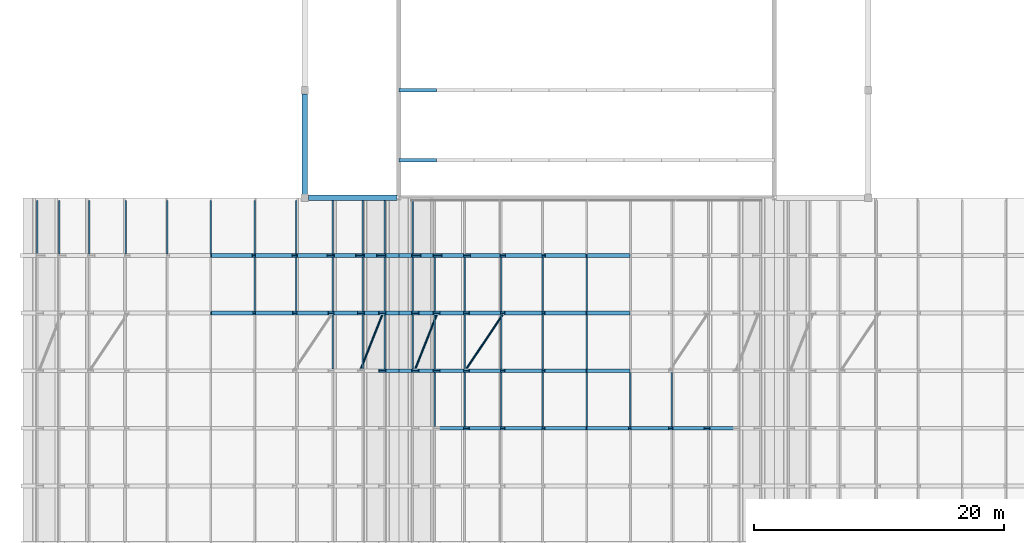
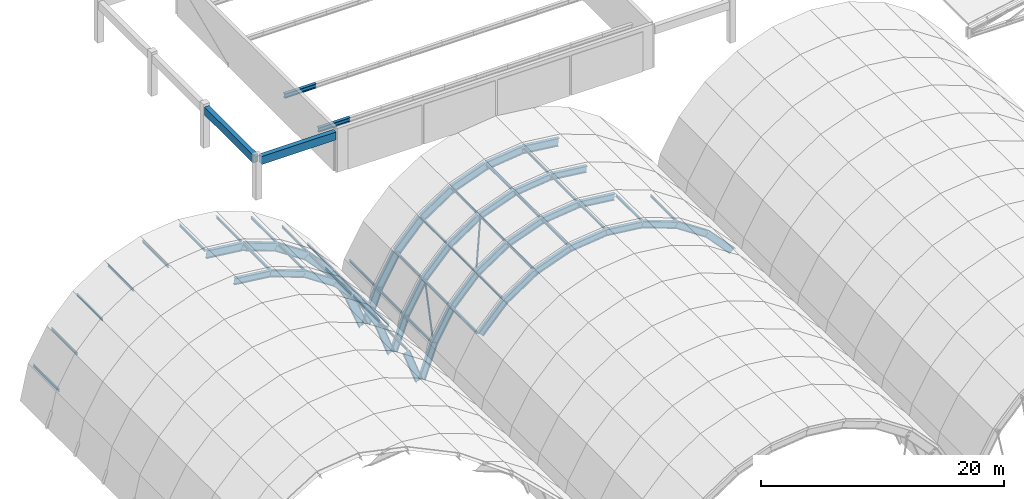
# One storey, part 12 of 47: 83 beams, 5 members.
"""IFC4 building model written with IfcOpenShell, lengths in metres."""

from ifc_helpers import new_model, si_unit, direction, frame, origin, origin_2d, place, context, subcontext, project, spatial, rectangle, hollow_circle, i_section, extrude, material, material_profile, profile_set, type_object, element, save


model = new_model("IFC4")

# Units and contexts
model_context = context("Model", 3, precision=1e-05, world=origin(), true_north=direction((0.0, 1.0)))
body_context = subcontext(model_context, "Body", "Model", "MODEL_VIEW")
ifc_project = project(units=[si_unit("LENGTHUNIT", "METRE"), si_unit("AREAUNIT", "SQUARE_METRE"), si_unit("VOLUMEUNIT", "CUBIC_METRE"), si_unit("PLANEANGLEUNIT", "RADIAN"), si_unit("MASSUNIT", "GRAM", prefix="KILO")], contexts=[model_context])

# Site, building, storey
site_placement = place(None, origin())
site = spatial("IfcSite", under=ifc_project, at=site_placement, CompositionType="ELEMENT")
building_placement = place(site_placement, origin())
building = spatial("IfcBuilding", under=site, at=building_placement, Name="Muzn Square Opera House", CompositionType="ELEMENT")
storey_placement = place(building_placement, frame((0.0, 0.0, 31.0)))
storey = spatial("IfcBuildingStorey", under=building, at=storey_placement, Name="RF-1", CompositionType="ELEMENT", Elevation=31.0)

# Beams
ifc_material_1 = material(Name="Steel S355", Category="steel")
ifc_material_profile_1 = material_profile(ifc_material_1, i_section(OverallWidth=0.300048828125, OverallDepth=0.800048828125, WebThickness=0.017578125, FlangeThickness=0.032958984375, FilletRadius=0.030029296875, at=origin_2d()), Name="HEB 800", Category="steel")
ifc_profile_set_1 = profile_set([ifc_material_profile_1], Name="Steel S355")
beam_type_1 = type_object("IfcBeamType", Name="Gable Arch Rib HEB800", PredefinedType="BEAM", material=ifc_profile_set_1)
beam_1_placement = place(storey_placement, frame((58.0, 68.0, -0.239990234375), z_axis=(0.99313613312, 0.0, -0.116964187216), x_axis=(0.0, 1.0, 0.0)))
element("IfcBeam", 1, at=beam_1_placement, inside=storey, type_object=beam_type_1, Name="Barrel Vault Arch Rib V1-10-S06", PredefinedType="BEAM", context=body_context, shape_type="SweptSolid", body=[
    extrude(i_section(OverallWidth=0.300048828125, OverallDepth=0.800048828125, WebThickness=0.017578125, FlangeThickness=0.032958984375, FilletRadius=0.030029296875, at=origin_2d()), origin(), (0.0, 0.0, 1.0), 3.45654296875),
])
for number, where, z_axis, x_axis, name in (
    (2, (61.432861328125, 68.0, -0.644287109375), (0.938647830501, 0.0, -0.344877152471), (0.0, 1.0, 0.0), "Barrel Vault Arch Rib V1-10-S07"),
    (3, (64.677490234375, 68.0, -1.83642578125), (0.832701668502, 0.0, -0.553721889827), (0.0, 1.0, 0.0), "Barrel Vault Arch Rib V1-10-S08"),
):
    element("IfcBeam", number, at=place(storey_placement, frame(where, z_axis=z_axis, x_axis=x_axis)), inside=storey, type_object=beam_type_1, Name=name, PredefinedType="BEAM", context=body_context, shape_type="SweptSolid", body=[
        extrude(i_section(OverallWidth=0.300048828125, OverallDepth=0.800048828125, WebThickness=0.017578125, FlangeThickness=0.032958984375, FilletRadius=0.030029296875, at=origin_2d()), origin(), (0.0, 0.0, 1.0), 3.456787109375),
    ])
beam_2_placement = place(storey_placement, frame((67.555908203125, 68.0, -3.75048828125), z_axis=(0.681076644636, 0.0, -0.732212130555), x_axis=(0.0, 1.0, 0.0)))
element("IfcBeam", 4, at=beam_2_placement, inside=storey, type_object=beam_type_1, Name="Barrel Vault Arch Rib V1-10-S09", PredefinedType="BEAM", context=body_context, shape_type="SweptSolid", body=[
    extrude(i_section(OverallWidth=0.300048828125, OverallDepth=0.800048828125, WebThickness=0.017578125, FlangeThickness=0.032958984375, FilletRadius=0.030029296875, at=origin_2d()), origin(), (0.0, 0.0, 1.0), 3.45654296875),
])
beam_3_placement = place(storey_placement, frame((69.91015625, 68.0, -6.281494140625), z_axis=(0.492117762624, 0.0, -0.870528636927), x_axis=(0.0, 1.0, 0.0)))
element("IfcBeam", 5, at=beam_3_placement, inside=storey, type_object=beam_type_1, Name="Barrel Vault Arch Rib V1-10-S10", PredefinedType="BEAM", context=body_context, shape_type="SweptSolid", body=[
    extrude(i_section(OverallWidth=0.300048828125, OverallDepth=0.800048828125, WebThickness=0.017578125, FlangeThickness=0.032958984375, FilletRadius=0.030029296875, at=origin_2d()), origin(), (0.0, 0.0, 1.0), 3.456787109375),
])
for number, where, z_axis, x_axis, name in (
    (6, (71.611328125, 68.0, -9.290771484375), (0.362708999619, 0.0, -0.931902452832), (0.0, 1.0, 0.0), "Barrel Vault Arch Rib V1-10-S11"),
    (7, (73.1201171875, 68.0, -12.550048828125), (0.362708999619, 0.0, 0.931902452832), (0.0, 1.0, 0.0), "Barrel Vault Arch Rib V2-10-S00"),
):
    element("IfcBeam", number, at=place(storey_placement, frame(where, z_axis=z_axis, x_axis=x_axis)), inside=storey, type_object=beam_type_1, Name=name, PredefinedType="BEAM", context=body_context, shape_type="SweptSolid", body=[
        extrude(i_section(OverallWidth=0.300048828125, OverallDepth=0.800048828125, WebThickness=0.017578125, FlangeThickness=0.032958984375, FilletRadius=0.030029296875, at=origin_2d()), origin(), (0.0, 0.0, 1.0), 3.49755859375),
    ])
beam_4_placement = place(storey_placement, frame((74.388671875, 68.0, -9.290771484375), z_axis=(0.492117762624, 0.0, 0.870528636927), x_axis=(0.0, 1.0, 0.0)))
element("IfcBeam", 8, at=beam_4_placement, inside=storey, type_object=beam_type_1, Name="Barrel Vault Arch Rib V2-10-S01", PredefinedType="BEAM", context=body_context, shape_type="SweptSolid", body=[
    extrude(i_section(OverallWidth=0.300048828125, OverallDepth=0.800048828125, WebThickness=0.017578125, FlangeThickness=0.032958984375, FilletRadius=0.030029296875, at=origin_2d()), origin(), (0.0, 0.0, 1.0), 3.456787109375),
])
beam_5_placement = place(storey_placement, frame((76.08984375, 68.0, -6.281494140625), z_axis=(0.681076644636, 0.0, 0.732212130555), x_axis=(0.0, 1.0, 0.0)))
element("IfcBeam", 9, at=beam_5_placement, inside=storey, type_object=beam_type_1, Name="Barrel Vault Arch Rib V2-10-S02", PredefinedType="BEAM", context=body_context, shape_type="SweptSolid", body=[
    extrude(i_section(OverallWidth=0.300048828125, OverallDepth=0.800048828125, WebThickness=0.017578125, FlangeThickness=0.032958984375, FilletRadius=0.030029296875, at=origin_2d()), origin(), (0.0, 0.0, 1.0), 3.45654296875),
])
for number, where, z_axis, x_axis, name in (
    (10, (78.444091796875, 68.0, -3.75048828125), (0.832701668502, 0.0, 0.553721889827), (0.0, 1.0, 0.0), "Barrel Vault Arch Rib V2-10-S03"),
    (11, (81.322509765625, 68.0, -1.83642578125), (0.938647830501, 0.0, 0.344877152471), (0.0, 1.0, 0.0), "Barrel Vault Arch Rib V2-10-S04"),
):
    element("IfcBeam", number, at=place(storey_placement, frame(where, z_axis=z_axis, x_axis=x_axis)), inside=storey, type_object=beam_type_1, Name=name, PredefinedType="BEAM", context=body_context, shape_type="SweptSolid", body=[
        extrude(i_section(OverallWidth=0.300048828125, OverallDepth=0.800048828125, WebThickness=0.017578125, FlangeThickness=0.032958984375, FilletRadius=0.030029296875, at=origin_2d()), origin(), (0.0, 0.0, 1.0), 3.456787109375),
    ])
for number, where, z_axis, x_axis, name in (
    (12, (84.567138671875, 68.0, -0.644287109375), (0.99313613312, 0.0, 0.116964187216), (0.0, 1.0, 0.0), "Barrel Vault Arch Rib V2-10-S05"),
    (13, (88.0, 68.0, -0.239990234375), (0.99313613312, 0.0, -0.116964187216), (0.0, 1.0, 0.0), "Barrel Vault Arch Rib V2-10-S06"),
):
    element("IfcBeam", number, at=place(storey_placement, frame(where, z_axis=z_axis, x_axis=x_axis)), inside=storey, type_object=beam_type_1, Name=name, PredefinedType="BEAM", context=body_context, shape_type="SweptSolid", body=[
        extrude(i_section(OverallWidth=0.300048828125, OverallDepth=0.800048828125, WebThickness=0.017578125, FlangeThickness=0.032958984375, FilletRadius=0.030029296875, at=origin_2d()), origin(), (0.0, 0.0, 1.0), 3.45654296875),
    ])
ifc_material_2 = material(Name="Concrete C40/50", Category="concrete")
ifc_material_profile_2 = material_profile(ifc_material_2, rectangle(XDim=0.449951171875, YDim=0.800048828125, at=origin_2d()), Name="RCB 450x800", Category="concrete")
ifc_profile_set_2 = profile_set([ifc_material_profile_2], Name="Concrete C40/50")
beam_type_2 = type_object("IfcBeamType", Name="Primary Girder 450x800", PredefinedType="BEAM", material=ifc_profile_set_2)
beam_6_placement = place(storey_placement, frame((65.7919921875, 72.60009765625, 3.75), z_axis=(1.0, 0.0, 0.0), x_axis=(0.0, 1.0, 0.0)))
element("IfcBeam", 14, at=beam_6_placement, inside=storey, type_object=beam_type_2, Name="Primary Girder BM-RF1-BM-PG800-658_726_729_726-2768", PredefinedType="BEAM", context=body_context, shape_type="SweptSolid", body=[
    extrude(rectangle(XDim=0.449951171875, YDim=0.800048828125, at=origin_2d()), origin(), (0.0, 0.0, 1.0), 7.06591796875),
])
beam_7_placement = place(storey_placement, frame((65.5, 72.89208984375, 3.75), z_axis=(0.0, 1.0, 0.0), x_axis=(-1.0, 0.0, 0.0)))
element("IfcBeam", 15, at=beam_7_placement, inside=storey, type_object=beam_type_2, Name="Primary Girder BM-RF1-BM-PG800-655_729_655_809-2772", PredefinedType="BEAM", context=body_context, shape_type="SweptSolid", body=[
    extrude(rectangle(XDim=0.449951171875, YDim=0.800048828125, at=origin_2d()), origin(), (0.0, 0.0, 1.0), 8.015869140625),
])
ifc_material_profile_3 = material_profile(ifc_material_1, i_section(OverallWidth=0.1201171875, OverallDepth=0.239990234375, WebThickness=0.006103515625, FlangeThickness=0.009765625, FilletRadius=0.014892578125, at=origin_2d()), Name="IPE 240", Category="steel")
ifc_profile_set_3 = profile_set([ifc_material_profile_3], Name="Steel S355")
beam_type_3 = type_object("IfcBeamType", Name="Roof Purlin IPE240", PredefinedType="USERDEFINED", material=ifc_profile_set_3)
for number, where, z_axis, x_axis, name in (
    (16, (67.7373046875, 58.93994140625, -3.537109375), (0.0, 1.0, 0.0), (-1.0, 0.0, 0.0), "Barrel Vault Roof Purlin V1-08-P18"),
    (17, (70.13623046875, 58.93994140625, -6.1162109375), (0.0, 1.0, 0.0), (-1.0, 0.0, 0.0), "Barrel Vault Roof Purlin V1-08-P20"),
    (18, (71.869384765625, 58.93994140625, -9.1826171875), (0.0, 1.0, 0.0), (-1.0, 0.0, 0.0), "Barrel Vault Roof Purlin V1-08-P22"),
    (19, (61.498046875, 63.5400390625, -0.3720703125), (0.0, 1.0, 0.0), (-1.0, 0.0, 0.0), "Barrel Vault Roof Purlin V1-09-P14"),
    (20, (64.80419921875, 63.5400390625, -1.5869140625), (0.0, 1.0, 0.0), (-1.0, 0.0, 0.0), "Barrel Vault Roof Purlin V1-09-P16"),
    (21, (67.7373046875, 63.5400390625, -3.537109375), (0.0, 1.0, 0.0), (-1.0, 0.0, 0.0), "Barrel Vault Roof Purlin V1-09-P18"),
    (22, (70.13623046875, 63.5400390625, -6.1162109375), (0.0, 1.0, 0.0), (-1.0, 0.0, 0.0), "Barrel Vault Roof Purlin V1-09-P20"),
    (23, (71.869384765625, 63.5400390625, -9.1826171875), (0.0, 1.0, 0.0), (-1.0, 0.0, 0.0), "Barrel Vault Roof Purlin V1-09-P22"),
):
    element("IfcBeam", number, at=place(storey_placement, frame(where, z_axis=z_axis, x_axis=x_axis)), inside=storey, type_object=beam_type_3, Name=name, ObjectType="PURLIN", PredefinedType="USERDEFINED", context=body_context, shape_type="SweptSolid", body=[
        extrude(i_section(OverallWidth=0.1201171875, OverallDepth=0.239990234375, WebThickness=0.006103515625, FlangeThickness=0.009765625, FilletRadius=0.014892578125, at=origin_2d()), origin(), (0.0, 0.0, 1.0), 4.320068359375),
    ])
for number, where, z_axis, x_axis, name in (
    (24, (44.130615234375, 68.139892578125, -9.1826171875), (0.0, 1.0, 0.0), (-1.0, 0.0, 0.0), "Barrel Vault Roof Purlin V1-10-P02"),
    (25, (45.86376953125, 68.139892578125, -6.1162109375), (0.0, 1.0, 0.0), (-1.0, 0.0, 0.0), "Barrel Vault Roof Purlin V1-10-P04"),
    (26, (48.2626953125, 68.139892578125, -3.537109375), (0.0, 1.0, 0.0), (-1.0, 0.0, 0.0), "Barrel Vault Roof Purlin V1-10-P06"),
    (27, (51.19580078125, 68.139892578125, -1.5869140625), (0.0, 1.0, 0.0), (-1.0, 0.0, 0.0), "Barrel Vault Roof Purlin V1-10-P08"),
    (28, (54.501953125, 68.139892578125, -0.3720703125), (0.0, 1.0, 0.0), (-1.0, 0.0, 0.0), "Barrel Vault Roof Purlin V1-10-P10"),
    (29, (58.0, 68.139892578125, 0.0400390625), (0.0, 1.0, 0.0), (-1.0, 0.0, 0.0), "Barrel Vault Roof Purlin V1-10-P12"),
    (30, (61.498046875, 68.139892578125, -0.3720703125), (0.0, 1.0, 0.0), (-1.0, 0.0, 0.0), "Barrel Vault Roof Purlin V1-10-P14"),
    (31, (64.80419921875, 68.139892578125, -1.5869140625), (0.0, 1.0, 0.0), (-1.0, 0.0, 0.0), "Barrel Vault Roof Purlin V1-10-P16"),
    (32, (67.7373046875, 68.139892578125, -3.537109375), (0.0, 1.0, 0.0), (-1.0, 0.0, 0.0), "Barrel Vault Roof Purlin V1-10-P18"),
    (33, (70.13623046875, 68.139892578125, -6.1162109375), (0.0, 1.0, 0.0), (-1.0, 0.0, 0.0), "Barrel Vault Roof Purlin V1-10-P20"),
    (34, (71.869384765625, 68.139892578125, -9.1826171875), (0.0, 1.0, 0.0), (-1.0, 0.0, 0.0), "Barrel Vault Roof Purlin V1-10-P22"),
):
    element("IfcBeam", number, at=place(storey_placement, frame(where, z_axis=z_axis, x_axis=x_axis)), inside=storey, type_object=beam_type_3, Name=name, ObjectType="PURLIN", PredefinedType="USERDEFINED", context=body_context, shape_type="SweptSolid", body=[
        extrude(i_section(OverallWidth=0.1201171875, OverallDepth=0.239990234375, WebThickness=0.006103515625, FlangeThickness=0.009765625, FilletRadius=0.014892578125, at=origin_2d()), origin(), (0.0, 0.0, 1.0), 4.239990234375),
    ])
for number, where, z_axis, x_axis, name in (
    (35, (75.86376953125, 54.340087890625, -6.1162109375), (0.0, 1.0, 0.0), (-1.0, 0.0, 0.0), "Barrel Vault Roof Purlin V2-07-P04"),
    (36, (78.2626953125, 54.340087890625, -3.537109375), (0.0, 1.0, 0.0), (-1.0, 0.0, 0.0), "Barrel Vault Roof Purlin V2-07-P06"),
    (37, (81.19580078125, 54.340087890625, -1.5869140625), (0.0, 1.0, 0.0), (-1.0, 0.0, 0.0), "Barrel Vault Roof Purlin V2-07-P08"),
    (38, (84.501953125, 54.340087890625, -0.3720703125), (0.0, 1.0, 0.0), (-1.0, 0.0, 0.0), "Barrel Vault Roof Purlin V2-07-P10"),
    (39, (88.0, 54.340087890625, 0.0400390625), (0.0, 1.0, 0.0), (-1.0, 0.0, 0.0), "Barrel Vault Roof Purlin V2-07-P12"),
    (40, (91.498046875, 54.340087890625, -0.3720703125), (0.0, 1.0, 0.0), (-1.0, 0.0, 0.0), "Barrel Vault Roof Purlin V2-07-P14"),
    (41, (94.80419921875, 54.340087890625, -1.5869140625), (0.0, 1.0, 0.0), (-1.0, 0.0, 0.0), "Barrel Vault Roof Purlin V2-07-P16"),
):
    element("IfcBeam", number, at=place(storey_placement, frame(where, z_axis=z_axis, x_axis=x_axis)), inside=storey, type_object=beam_type_3, Name=name, ObjectType="PURLIN", PredefinedType="USERDEFINED", context=body_context, shape_type="SweptSolid", body=[
        extrude(i_section(OverallWidth=0.1201171875, OverallDepth=0.239990234375, WebThickness=0.006103515625, FlangeThickness=0.009765625, FilletRadius=0.014892578125, at=origin_2d()), origin(), (0.0, 0.0, 1.0), 4.31982421875),
    ])
for number, where, z_axis, x_axis, name in (
    (42, (74.130615234375, 58.93994140625, -9.1826171875), (0.0, 1.0, 0.0), (-1.0, 0.0, 0.0), "Barrel Vault Roof Purlin V2-08-P02"),
    (43, (75.86376953125, 58.93994140625, -6.1162109375), (0.0, 1.0, 0.0), (-1.0, 0.0, 0.0), "Barrel Vault Roof Purlin V2-08-P04"),
    (44, (78.2626953125, 58.93994140625, -3.537109375), (0.0, 1.0, 0.0), (-1.0, 0.0, 0.0), "Barrel Vault Roof Purlin V2-08-P06"),
    (45, (81.19580078125, 58.93994140625, -1.5869140625), (0.0, 1.0, 0.0), (-1.0, 0.0, 0.0), "Barrel Vault Roof Purlin V2-08-P08"),
    (46, (84.501953125, 58.93994140625, -0.3720703125), (0.0, 1.0, 0.0), (-1.0, 0.0, 0.0), "Barrel Vault Roof Purlin V2-08-P10"),
    (47, (88.0, 58.93994140625, 0.0400390625), (0.0, 1.0, 0.0), (-1.0, 0.0, 0.0), "Barrel Vault Roof Purlin V2-08-P12"),
    (48, (74.130615234375, 63.5400390625, -9.1826171875), (0.0, 1.0, 0.0), (-1.0, 0.0, 0.0), "Barrel Vault Roof Purlin V2-09-P02"),
    (49, (75.86376953125, 63.5400390625, -6.1162109375), (0.0, 1.0, 0.0), (-1.0, 0.0, 0.0), "Barrel Vault Roof Purlin V2-09-P04"),
    (50, (78.2626953125, 63.5400390625, -3.537109375), (0.0, 1.0, 0.0), (-1.0, 0.0, 0.0), "Barrel Vault Roof Purlin V2-09-P06"),
    (51, (81.19580078125, 63.5400390625, -1.5869140625), (0.0, 1.0, 0.0), (-1.0, 0.0, 0.0), "Barrel Vault Roof Purlin V2-09-P08"),
    (52, (84.501953125, 63.5400390625, -0.3720703125), (0.0, 1.0, 0.0), (-1.0, 0.0, 0.0), "Barrel Vault Roof Purlin V2-09-P10"),
    (53, (88.0, 63.5400390625, 0.0400390625), (0.0, 1.0, 0.0), (-1.0, 0.0, 0.0), "Barrel Vault Roof Purlin V2-09-P12"),
):
    element("IfcBeam", number, at=place(storey_placement, frame(where, z_axis=z_axis, x_axis=x_axis)), inside=storey, type_object=beam_type_3, Name=name, ObjectType="PURLIN", PredefinedType="USERDEFINED", context=body_context, shape_type="SweptSolid", body=[
        extrude(i_section(OverallWidth=0.1201171875, OverallDepth=0.239990234375, WebThickness=0.006103515625, FlangeThickness=0.009765625, FilletRadius=0.014892578125, at=origin_2d()), origin(), (0.0, 0.0, 1.0), 4.320068359375),
    ])
beam_8_placement = place(storey_placement, frame((74.130615234375, 68.139892578125, -9.1826171875), z_axis=(0.0, 1.0, 0.0), x_axis=(-1.0, 0.0, 0.0)))
element("IfcBeam", 54, at=beam_8_placement, inside=storey, type_object=beam_type_3, Name="Barrel Vault Roof Purlin V2-10-P02", ObjectType="PURLIN", PredefinedType="USERDEFINED", context=body_context, shape_type="SweptSolid", body=[
    extrude(i_section(OverallWidth=0.1201171875, OverallDepth=0.239990234375, WebThickness=0.006103515625, FlangeThickness=0.009765625, FilletRadius=0.014892578125, at=origin_2d()), origin(), (0.0, 0.0, 1.0), 4.239990234375),
])

# Members
ifc_material_profile_4 = material_profile(ifc_material_1, i_section(OverallWidth=0.300048828125, OverallDepth=0.449951171875, WebThickness=0.013916015625, FlangeThickness=0.02587890625, FilletRadius=0.027099609375, at=origin_2d()), Name="HEB 450", Category="steel")
ifc_profile_set_4 = profile_set([ifc_material_profile_4], Name="Steel S355")
member_type_1 = type_object("IfcMemberType", Name="Stage Truss Chord HEB450", PredefinedType="CHORD", material=ifc_profile_set_4)
for number, where, z_axis, x_axis, name in (
    (55, (73.0, 75.60009765625, 2.39990234375), (1.0, 0.0, 0.0), (0.0, 1.0, 0.0), "Stage Roof Truss Bottom Chord T1-0"),
    (56, (73.0, 81.199951171875, 2.39990234375), (1.0, 0.0, 0.0), (0.0, 1.0, 0.0), "Stage Roof Truss Bottom Chord T2-0"),
):
    element("IfcMember", number, at=place(storey_placement, frame(where, z_axis=z_axis, x_axis=x_axis)), inside=storey, type_object=member_type_1, Name=name, PredefinedType="CHORD", context=body_context, shape_type="SweptSolid", body=[
        extrude(i_section(OverallWidth=0.300048828125, OverallDepth=0.449951171875, WebThickness=0.013916015625, FlangeThickness=0.02587890625, FilletRadius=0.027099609375, at=origin_2d()), origin(), (0.0, 0.0, 1.0), 3.0),
    ])

# Beams
ifc_material_profile_5 = material_profile(ifc_material_1, i_section(OverallWidth=0.300048828125, OverallDepth=0.64990234375, WebThickness=0.01611328125, FlangeThickness=0.031005859375, FilletRadius=0.027099609375, at=origin_2d()), Name="HEB 650", Category="steel")
ifc_profile_set_5 = profile_set([ifc_material_profile_5], Name="Steel S355")
beam_type_4 = type_object("IfcBeamType", Name="Vault Arch Rib HEB650", PredefinedType="BEAM", material=ifc_profile_set_5)
beam_9_placement = place(storey_placement, frame((71.680419921875, 58.800048828125, -9.26171875), z_axis=(0.342678144973, 0.0, -0.93945286681), x_axis=(0.0, 1.0, 0.0)))
element("IfcBeam", 57, at=beam_9_placement, inside=storey, type_object=beam_type_4, Name="Barrel Vault Arch Rib V1-08-S11", PredefinedType="BEAM", context=body_context, shape_type="SweptSolid", body=[
    extrude(i_section(OverallWidth=0.300048828125, OverallDepth=0.64990234375, WebThickness=0.01611328125, FlangeThickness=0.031005859375, FilletRadius=0.027099609375, at=origin_2d()), origin(), (0.0, 0.0, 1.0), 3.500244140625),
])
beam_10_placement = place(storey_placement, frame((58.0, 63.39990234375, -0.1650390625), z_axis=(0.993131884792, 0.0, -0.117000253887), x_axis=(0.0, 1.0, 0.0)))
element("IfcBeam", 58, at=beam_10_placement, inside=storey, type_object=beam_type_4, Name="Barrel Vault Arch Rib V1-09-S06", PredefinedType="BEAM", context=body_context, shape_type="SweptSolid", body=[
    extrude(i_section(OverallWidth=0.300048828125, OverallDepth=0.64990234375, WebThickness=0.01611328125, FlangeThickness=0.031005859375, FilletRadius=0.027099609375, at=origin_2d()), origin(), (0.0, 0.0, 1.0), 3.474365234375),
])
beam_11_placement = place(storey_placement, frame((61.450439453125, 63.39990234375, -0.571533203125), z_axis=(0.938661867851, 0.0, -0.344838944789), x_axis=(0.0, 1.0, 0.0)))
element("IfcBeam", 59, at=beam_11_placement, inside=storey, type_object=beam_type_4, Name="Barrel Vault Arch Rib V1-09-S07", PredefinedType="BEAM", context=body_context, shape_type="SweptSolid", body=[
    extrude(i_section(OverallWidth=0.300048828125, OverallDepth=0.64990234375, WebThickness=0.01611328125, FlangeThickness=0.031005859375, FilletRadius=0.027099609375, at=origin_2d()), origin(), (0.0, 0.0, 1.0), 3.47412109375),
])
for number, where, z_axis, x_axis, name in (
    (60, (64.71142578125, 63.39990234375, -1.76953125), (0.832698370736, 0.0, -0.553726849063), (0.0, 1.0, 0.0), "Barrel Vault Arch Rib V1-09-S08"),
    (61, (67.6044921875, 63.39990234375, -3.693359375), (0.681065393401, 0.0, -0.732222595876), (0.0, 1.0, 0.0), "Barrel Vault Arch Rib V1-09-S09"),
):
    element("IfcBeam", number, at=place(storey_placement, frame(where, z_axis=z_axis, x_axis=x_axis)), inside=storey, type_object=beam_type_4, Name=name, PredefinedType="BEAM", context=body_context, shape_type="SweptSolid", body=[
        extrude(i_section(OverallWidth=0.300048828125, OverallDepth=0.64990234375, WebThickness=0.01611328125, FlangeThickness=0.031005859375, FilletRadius=0.027099609375, at=origin_2d()), origin(), (0.0, 0.0, 1.0), 3.474365234375),
    ])
beam_12_placement = place(storey_placement, frame((69.970703125, 63.39990234375, -6.2373046875), z_axis=(0.492115144444, 0.0, -0.870530117003), x_axis=(0.0, 1.0, 0.0)))
element("IfcBeam", 62, at=beam_12_placement, inside=storey, type_object=beam_type_4, Name="Barrel Vault Arch Rib V1-09-S10", PredefinedType="BEAM", context=body_context, shape_type="SweptSolid", body=[
    extrude(i_section(OverallWidth=0.300048828125, OverallDepth=0.64990234375, WebThickness=0.01611328125, FlangeThickness=0.031005859375, FilletRadius=0.027099609375, at=origin_2d()), origin(), (0.0, 0.0, 1.0), 3.47412109375),
])
beam_13_placement = place(storey_placement, frame((71.680419921875, 63.39990234375, -9.26171875), z_axis=(0.342678144973, 0.0, -0.93945286681), x_axis=(0.0, 1.0, 0.0)))
element("IfcBeam", 63, at=beam_13_placement, inside=storey, type_object=beam_type_4, Name="Barrel Vault Arch Rib V1-09-S11", PredefinedType="BEAM", context=body_context, shape_type="SweptSolid", body=[
    extrude(i_section(OverallWidth=0.300048828125, OverallDepth=0.64990234375, WebThickness=0.01611328125, FlangeThickness=0.031005859375, FilletRadius=0.027099609375, at=origin_2d()), origin(), (0.0, 0.0, 1.0), 3.500244140625),
])
for number, where, z_axis, x_axis, name in (
    (64, (76.029296875, 54.199951171875, -6.2373046875), (0.681065393401, 0.0, 0.732222595876), (0.0, 1.0, 0.0), "Barrel Vault Arch Rib V2-07-S02"),
    (65, (78.3955078125, 54.199951171875, -3.693359375), (0.832698370736, 0.0, 0.553726849063), (0.0, 1.0, 0.0), "Barrel Vault Arch Rib V2-07-S03"),
):
    element("IfcBeam", number, at=place(storey_placement, frame(where, z_axis=z_axis, x_axis=x_axis)), inside=storey, type_object=beam_type_4, Name=name, PredefinedType="BEAM", context=body_context, shape_type="SweptSolid", body=[
        extrude(i_section(OverallWidth=0.300048828125, OverallDepth=0.64990234375, WebThickness=0.01611328125, FlangeThickness=0.031005859375, FilletRadius=0.027099609375, at=origin_2d()), origin(), (0.0, 0.0, 1.0), 3.474365234375),
    ])
beam_14_placement = place(storey_placement, frame((81.28857421875, 54.199951171875, -1.76953125), z_axis=(0.938661867851, 0.0, 0.344838944789), x_axis=(0.0, 1.0, 0.0)))
element("IfcBeam", 66, at=beam_14_placement, inside=storey, type_object=beam_type_4, Name="Barrel Vault Arch Rib V2-07-S04", PredefinedType="BEAM", context=body_context, shape_type="SweptSolid", body=[
    extrude(i_section(OverallWidth=0.300048828125, OverallDepth=0.64990234375, WebThickness=0.01611328125, FlangeThickness=0.031005859375, FilletRadius=0.027099609375, at=origin_2d()), origin(), (0.0, 0.0, 1.0), 3.47412109375),
])
for number, where, z_axis, x_axis, name in (
    (67, (84.549560546875, 54.199951171875, -0.571533203125), (0.993131884792, 0.0, 0.117000253887), (0.0, 1.0, 0.0), "Barrel Vault Arch Rib V2-07-S05"),
    (68, (88.0, 54.199951171875, -0.1650390625), (0.993131884792, 0.0, -0.117000253887), (0.0, 1.0, 0.0), "Barrel Vault Arch Rib V2-07-S06"),
):
    element("IfcBeam", number, at=place(storey_placement, frame(where, z_axis=z_axis, x_axis=x_axis)), inside=storey, type_object=beam_type_4, Name=name, PredefinedType="BEAM", context=body_context, shape_type="SweptSolid", body=[
        extrude(i_section(OverallWidth=0.300048828125, OverallDepth=0.64990234375, WebThickness=0.01611328125, FlangeThickness=0.031005859375, FilletRadius=0.027099609375, at=origin_2d()), origin(), (0.0, 0.0, 1.0), 3.474365234375),
    ])
beam_15_placement = place(storey_placement, frame((91.450439453125, 54.199951171875, -0.571533203125), z_axis=(0.938661867851, 0.0, -0.344838944789), x_axis=(0.0, 1.0, 0.0)))
element("IfcBeam", 69, at=beam_15_placement, inside=storey, type_object=beam_type_4, Name="Barrel Vault Arch Rib V2-07-S07", PredefinedType="BEAM", context=body_context, shape_type="SweptSolid", body=[
    extrude(i_section(OverallWidth=0.300048828125, OverallDepth=0.64990234375, WebThickness=0.01611328125, FlangeThickness=0.031005859375, FilletRadius=0.027099609375, at=origin_2d()), origin(), (0.0, 0.0, 1.0), 3.47412109375),
])
for number, where, z_axis, x_axis, name in (
    (70, (94.71142578125, 54.199951171875, -1.76953125), (0.832698370736, 0.0, -0.553726849063), (0.0, 1.0, 0.0), "Barrel Vault Arch Rib V2-07-S08"),
    (71, (97.6044921875, 54.199951171875, -3.693359375), (0.681065393401, 0.0, -0.732222595876), (0.0, 1.0, 0.0), "Barrel Vault Arch Rib V2-07-S09"),
):
    element("IfcBeam", number, at=place(storey_placement, frame(where, z_axis=z_axis, x_axis=x_axis)), inside=storey, type_object=beam_type_4, Name=name, PredefinedType="BEAM", context=body_context, shape_type="SweptSolid", body=[
        extrude(i_section(OverallWidth=0.300048828125, OverallDepth=0.64990234375, WebThickness=0.01611328125, FlangeThickness=0.031005859375, FilletRadius=0.027099609375, at=origin_2d()), origin(), (0.0, 0.0, 1.0), 3.474365234375),
    ])
beam_16_placement = place(storey_placement, frame((73.1201171875, 58.800048828125, -12.550048828125), z_axis=(0.342678144973, 0.0, 0.93945286681), x_axis=(0.0, 1.0, 0.0)))
element("IfcBeam", 72, at=beam_16_placement, inside=storey, type_object=beam_type_4, Name="Barrel Vault Arch Rib V2-08-S00", PredefinedType="BEAM", context=body_context, shape_type="SweptSolid", body=[
    extrude(i_section(OverallWidth=0.300048828125, OverallDepth=0.64990234375, WebThickness=0.01611328125, FlangeThickness=0.031005859375, FilletRadius=0.027099609375, at=origin_2d()), origin(), (0.0, 0.0, 1.0), 3.500244140625),
])
beam_17_placement = place(storey_placement, frame((74.319580078125, 58.800048828125, -9.26171875), z_axis=(0.492115144444, 0.0, 0.870530117003), x_axis=(0.0, 1.0, 0.0)))
element("IfcBeam", 73, at=beam_17_placement, inside=storey, type_object=beam_type_4, Name="Barrel Vault Arch Rib V2-08-S01", PredefinedType="BEAM", context=body_context, shape_type="SweptSolid", body=[
    extrude(i_section(OverallWidth=0.300048828125, OverallDepth=0.64990234375, WebThickness=0.01611328125, FlangeThickness=0.031005859375, FilletRadius=0.027099609375, at=origin_2d()), origin(), (0.0, 0.0, 1.0), 3.47412109375),
])
for number, where, z_axis, x_axis, name in (
    (74, (76.029296875, 58.800048828125, -6.2373046875), (0.681065393401, 0.0, 0.732222595876), (0.0, 1.0, 0.0), "Barrel Vault Arch Rib V2-08-S02"),
    (75, (78.3955078125, 58.800048828125, -3.693359375), (0.832698370736, 0.0, 0.553726849063), (0.0, 1.0, 0.0), "Barrel Vault Arch Rib V2-08-S03"),
):
    element("IfcBeam", number, at=place(storey_placement, frame(where, z_axis=z_axis, x_axis=x_axis)), inside=storey, type_object=beam_type_4, Name=name, PredefinedType="BEAM", context=body_context, shape_type="SweptSolid", body=[
        extrude(i_section(OverallWidth=0.300048828125, OverallDepth=0.64990234375, WebThickness=0.01611328125, FlangeThickness=0.031005859375, FilletRadius=0.027099609375, at=origin_2d()), origin(), (0.0, 0.0, 1.0), 3.474365234375),
    ])
beam_18_placement = place(storey_placement, frame((81.28857421875, 58.800048828125, -1.76953125), z_axis=(0.938661867851, 0.0, 0.344838944789), x_axis=(0.0, 1.0, 0.0)))
element("IfcBeam", 76, at=beam_18_placement, inside=storey, type_object=beam_type_4, Name="Barrel Vault Arch Rib V2-08-S04", PredefinedType="BEAM", context=body_context, shape_type="SweptSolid", body=[
    extrude(i_section(OverallWidth=0.300048828125, OverallDepth=0.64990234375, WebThickness=0.01611328125, FlangeThickness=0.031005859375, FilletRadius=0.027099609375, at=origin_2d()), origin(), (0.0, 0.0, 1.0), 3.47412109375),
])
for number, where, z_axis, x_axis, name in (
    (77, (84.549560546875, 58.800048828125, -0.571533203125), (0.993131884792, 0.0, 0.117000253887), (0.0, 1.0, 0.0), "Barrel Vault Arch Rib V2-08-S05"),
    (78, (88.0, 58.800048828125, -0.1650390625), (0.993131884792, 0.0, -0.117000253887), (0.0, 1.0, 0.0), "Barrel Vault Arch Rib V2-08-S06"),
):
    element("IfcBeam", number, at=place(storey_placement, frame(where, z_axis=z_axis, x_axis=x_axis)), inside=storey, type_object=beam_type_4, Name=name, PredefinedType="BEAM", context=body_context, shape_type="SweptSolid", body=[
        extrude(i_section(OverallWidth=0.300048828125, OverallDepth=0.64990234375, WebThickness=0.01611328125, FlangeThickness=0.031005859375, FilletRadius=0.027099609375, at=origin_2d()), origin(), (0.0, 0.0, 1.0), 3.474365234375),
    ])
beam_19_placement = place(storey_placement, frame((73.1201171875, 63.39990234375, -12.550048828125), z_axis=(0.342678144973, 0.0, 0.93945286681), x_axis=(0.0, 1.0, 0.0)))
element("IfcBeam", 79, at=beam_19_placement, inside=storey, type_object=beam_type_4, Name="Barrel Vault Arch Rib V2-09-S00", PredefinedType="BEAM", context=body_context, shape_type="SweptSolid", body=[
    extrude(i_section(OverallWidth=0.300048828125, OverallDepth=0.64990234375, WebThickness=0.01611328125, FlangeThickness=0.031005859375, FilletRadius=0.027099609375, at=origin_2d()), origin(), (0.0, 0.0, 1.0), 3.500244140625),
])
beam_20_placement = place(storey_placement, frame((74.319580078125, 63.39990234375, -9.26171875), z_axis=(0.492115144444, 0.0, 0.870530117003), x_axis=(0.0, 1.0, 0.0)))
element("IfcBeam", 80, at=beam_20_placement, inside=storey, type_object=beam_type_4, Name="Barrel Vault Arch Rib V2-09-S01", PredefinedType="BEAM", context=body_context, shape_type="SweptSolid", body=[
    extrude(i_section(OverallWidth=0.300048828125, OverallDepth=0.64990234375, WebThickness=0.01611328125, FlangeThickness=0.031005859375, FilletRadius=0.027099609375, at=origin_2d()), origin(), (0.0, 0.0, 1.0), 3.47412109375),
])
for number, where, z_axis, x_axis, name in (
    (81, (76.029296875, 63.39990234375, -6.2373046875), (0.681065393401, 0.0, 0.732222595876), (0.0, 1.0, 0.0), "Barrel Vault Arch Rib V2-09-S02"),
    (82, (78.3955078125, 63.39990234375, -3.693359375), (0.832698370736, 0.0, 0.553726849063), (0.0, 1.0, 0.0), "Barrel Vault Arch Rib V2-09-S03"),
):
    element("IfcBeam", number, at=place(storey_placement, frame(where, z_axis=z_axis, x_axis=x_axis)), inside=storey, type_object=beam_type_4, Name=name, PredefinedType="BEAM", context=body_context, shape_type="SweptSolid", body=[
        extrude(i_section(OverallWidth=0.300048828125, OverallDepth=0.64990234375, WebThickness=0.01611328125, FlangeThickness=0.031005859375, FilletRadius=0.027099609375, at=origin_2d()), origin(), (0.0, 0.0, 1.0), 3.474365234375),
    ])
beam_21_placement = place(storey_placement, frame((81.28857421875, 63.39990234375, -1.76953125), z_axis=(0.938661867851, 0.0, 0.344838944789), x_axis=(0.0, 1.0, 0.0)))
element("IfcBeam", 83, at=beam_21_placement, inside=storey, type_object=beam_type_4, Name="Barrel Vault Arch Rib V2-09-S04", PredefinedType="BEAM", context=body_context, shape_type="SweptSolid", body=[
    extrude(i_section(OverallWidth=0.300048828125, OverallDepth=0.64990234375, WebThickness=0.01611328125, FlangeThickness=0.031005859375, FilletRadius=0.027099609375, at=origin_2d()), origin(), (0.0, 0.0, 1.0), 3.47412109375),
])
for number, where, z_axis, x_axis, name in (
    (84, (84.549560546875, 63.39990234375, -0.571533203125), (0.993131884792, 0.0, 0.117000253887), (0.0, 1.0, 0.0), "Barrel Vault Arch Rib V2-09-S05"),
    (85, (88.0, 63.39990234375, -0.1650390625), (0.993131884792, 0.0, -0.117000253887), (0.0, 1.0, 0.0), "Barrel Vault Arch Rib V2-09-S06"),
):
    element("IfcBeam", number, at=place(storey_placement, frame(where, z_axis=z_axis, x_axis=x_axis)), inside=storey, type_object=beam_type_4, Name=name, PredefinedType="BEAM", context=body_context, shape_type="SweptSolid", body=[
        extrude(i_section(OverallWidth=0.300048828125, OverallDepth=0.64990234375, WebThickness=0.01611328125, FlangeThickness=0.031005859375, FilletRadius=0.027099609375, at=origin_2d()), origin(), (0.0, 0.0, 1.0), 3.474365234375),
    ])

# Members
ifc_material_profile_6 = material_profile(ifc_material_1, hollow_circle(Radius=0.084228515625, WallThickness=0.010009765625, at=origin_2d()), Name="CHS 168.3x10", Category="steel")
ifc_profile_set_6 = profile_set([ifc_material_profile_6], Name="Steel S355")
member_type_2 = type_object("IfcMemberType", Name="Vault Wind Brace CHS168", PredefinedType="BRACE", material=ifc_profile_set_6)
for number, where, z_axis, x_axis, name in (
    (86, (69.970703125, 58.93994140625, -6.2373046875), (0.308404189508, 0.779267761438, -0.545553491308), (-0.929829464055, 0.367990716969, 0.0), "Barrel Vault Wind Brace V1-08-18"),
    (87, (74.319580078125, 58.93994140625, -9.26171875), (0.308404189508, 0.779267761438, 0.545553491308), (-0.929829464055, 0.367990716969, 0.0), "Barrel Vault Wind Brace V2-08-04"),
    (88, (78.3955078125, 58.93994140625, -3.693359375), (0.521854332426, 0.779258431416, 0.347022121478), (-0.830892639322, 0.55643276496, 0.0), "Barrel Vault Wind Brace V2-08-08"),
):
    element("IfcMember", number, at=place(storey_placement, frame(where, z_axis=z_axis, x_axis=x_axis)), inside=storey, type_object=member_type_2, Name=name, PredefinedType="BRACE", context=body_context, shape_type="SweptSolid", body=[
        extrude(hollow_circle(Radius=0.084228515625, WallThickness=0.010009765625, at=origin_2d()), origin(), (0.0, 0.0, 1.0), 5.543701171875),
    ])

save(model, "model.ifc")
